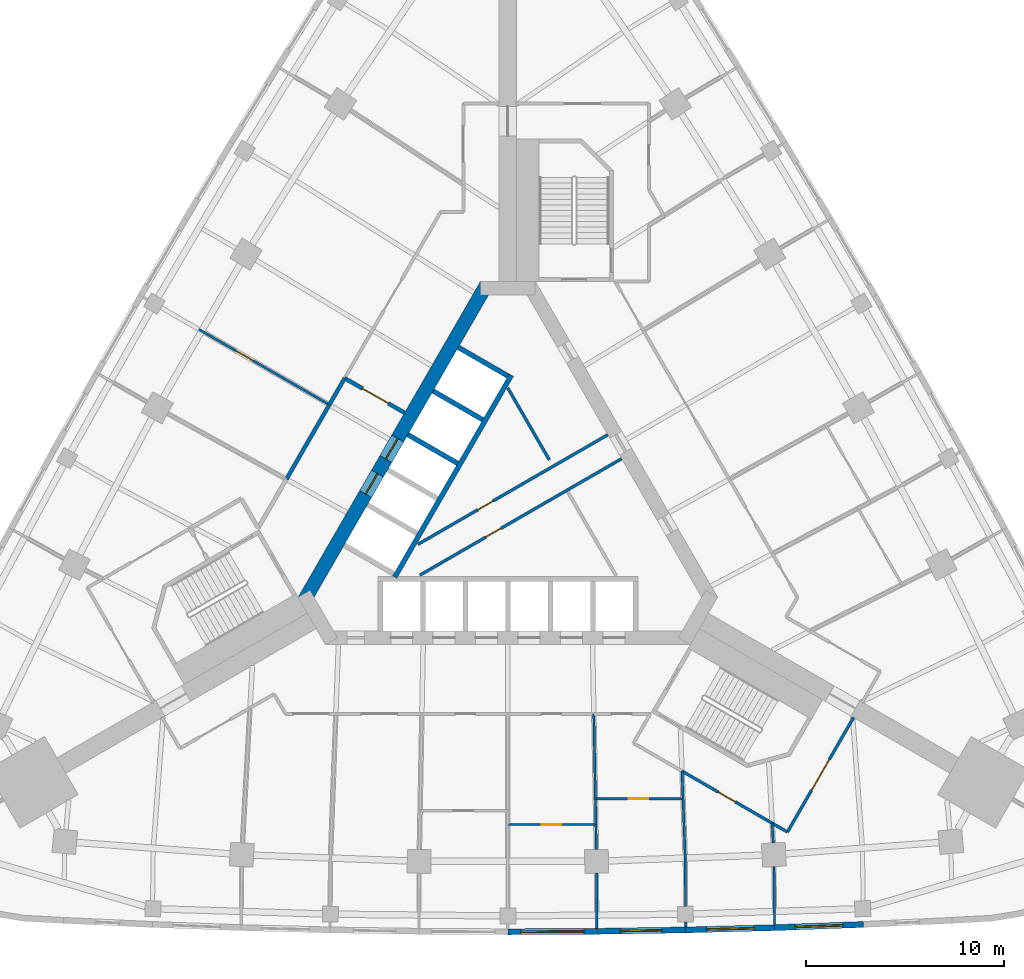
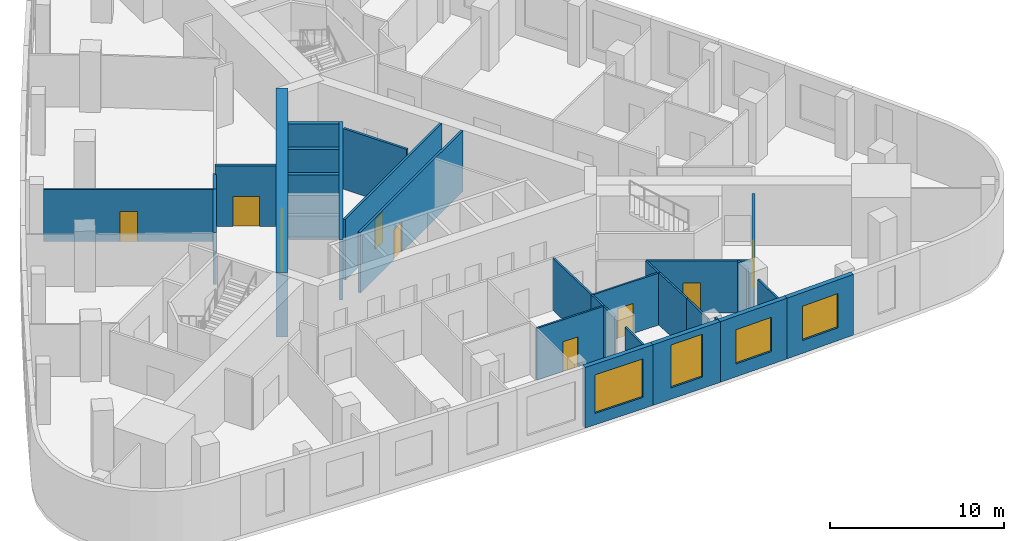
# One storey, part 6 of 11: 31 walls, 10 doors, 4 windows, 14 openings.
"""IFC4 building model written with IfcOpenShell, lengths in metres."""

from ifc_helpers import new_model, si_unit, direction, frame, frame_2d, origin, place, context, subcontext, project, spatial, rectangle, extrude, material, layer, layer_set, type_object, element, fill, save


model = new_model("IFC4")

# Units and contexts
model_context = context("Model", 3, precision=1e-05, world=origin(), true_north=direction((0.0, 1.0)))
body_context = subcontext(model_context, "Body", "Model", "MODEL_VIEW")
ifc_project = project(units=[si_unit("LENGTHUNIT", "METRE"), si_unit("AREAUNIT", "SQUARE_METRE"), si_unit("VOLUMEUNIT", "CUBIC_METRE"), si_unit("PLANEANGLEUNIT", "RADIAN"), si_unit("MASSUNIT", "GRAM", prefix="KILO")], contexts=[model_context])

# Site, building, storey
site_placement = place(None, origin())
site = spatial("IfcSite", under=ifc_project, at=site_placement, CompositionType="ELEMENT")
building_placement = place(site_placement, origin())
building = spatial("IfcBuilding", under=site, at=building_placement, Name="Noor Cloister Tower", CompositionType="ELEMENT")
storey_placement = place(building_placement, frame((0.0, 0.0, 15.0)))
storey = spatial("IfcBuildingStorey", under=building, at=storey_placement, Name="L03", CompositionType="ELEMENT", Elevation=15.0)

# Wall, opening, door
ifc_material_1 = material(Name="Concrete C30/37", Category="concrete")
ifc_layer_1 = layer(ifc_material_1, 0.14990234375)
ifc_layer_set_1 = layer_set([ifc_layer_1], Name="Core partition 150 C30/37")
wall_type_1 = type_object("IfcWallType", Name="Core partition 150 C30/37", PredefinedType="PARTITIONING", material=ifc_layer_set_1)
wall_1_placement = place(storey_placement, frame((-4.547607421875, -1.8505859375, 0.0), z_axis=(0.0, 0.0, 1.0), x_axis=(0.866023939251, 0.500002536638, 0.0)))
wall_1 = element("IfcWall", 1, at=wall_1_placement, inside=storey, type_object=wall_type_1, Name="Core room partition L03 1", PredefinedType="PARTITIONING", context=body_context, shape_type="SweptSolid", body=[
    extrude(rectangle(XDim=11.091796875, YDim=0.14990234375, at=frame_2d((5.5458984375, 0.0))), origin(), (0.0, 0.0, 1.0), 4.25),
])
opening_1_placement = place(wall_1_placement, frame((3.4970703125, 0.0, 0.0)))
opening_1 = element("IfcOpeningElement", 2, at=opening_1_placement, cuts=wall_1, Name="Opening L03-906", PredefinedType="OPENING", context=body_context, shape_type="SweptSolid", body=[
    extrude(rectangle(XDim=0.89990234375, YDim=2.10009765625, at=frame_2d((0.449951171875, 1.050048828125))), frame((0.0, 0.0849609375, 0.0), z_axis=(0.0, -1.0, 0.0), x_axis=(1.0, 0.0, 0.0)), (0.0, 0.0, 1.0), 0.169921875),
])
ifc_material_2 = material(Name="Steel", Category="steel")
door_type_1 = type_object("IfcDoorType", Name="Core door 900 x 2100 FD60", OperationType="SINGLE_SWING_LEFT", PredefinedType="DOOR", material=ifc_material_2)
door_1_placement = place(opening_1_placement, origin())
door_1 = element("IfcDoor", 3, at=door_1_placement, inside=storey, type_object=door_type_1, Name="Core door 6 L03", OperationType="SINGLE_SWING_RIGHT", OverallHeight=2.10009765625, OverallWidth=0.89990234375, PredefinedType="DOOR", context=body_context, shape_type="SweptSolid", body=[
    extrude(rectangle(XDim=0.89990234375, YDim=2.10009765625, at=frame_2d((0.449951171875, 1.050048828125))), frame((0.0, 0.02490234375, 0.0), z_axis=(0.0, -1.0, 0.0), x_axis=(1.0, 0.0, 0.0)), (0.0, 0.0, 1.0), 0.050048828125),
])
fill(opening_1, door_1)

# Wall
wall_2_placement = place(storey_placement, frame((2.099365234375, 2.420166015625, 0.0), z_axis=(0.0, 0.0, 1.0), x_axis=(-0.499998449073, 0.866026299211, 0.0)))
element("IfcWall", 4, at=wall_2_placement, inside=storey, type_object=wall_type_1, Name="Core room partition L03 2", PredefinedType="PARTITIONING", context=body_context, shape_type="SweptSolid", body=[
    extrude(rectangle(XDim=4.21142578125, YDim=0.14990234375, at=frame_2d((2.105712890625, 0.0))), origin(), (0.0, 0.0, 1.0), 4.25),
])

# Wall, opening, door
wall_3_placement = place(storey_placement, frame((-4.454345703125, -3.4130859375, 0.0), z_axis=(0.0, 0.0, 1.0), x_axis=(0.86603043987, 0.499991277142, 0.0)))
wall_3 = element("IfcWall", 5, at=wall_3_placement, inside=storey, type_object=wall_type_1, Name="Core room partition L03 3", PredefinedType="PARTITIONING", context=body_context, shape_type="SweptSolid", body=[
    extrude(rectangle(XDim=11.792236328125, YDim=0.14990234375, at=frame_2d((5.89599609375, 0.0))), origin(), (0.0, 0.0, 1.0), 4.25),
])
opening_2_placement = place(wall_3_placement, frame((3.84716796875, 0.0, 0.0)))
opening_2 = element("IfcOpeningElement", 6, at=opening_2_placement, cuts=wall_3, Name="Opening L03-904", PredefinedType="OPENING", context=body_context, shape_type="SweptSolid", body=[
    extrude(rectangle(XDim=0.89990234375, YDim=2.10009765625, at=frame_2d((0.449951171875, 1.050048828125))), frame((0.0, 0.0849609375, 0.0), z_axis=(0.0, -1.0, 0.0), x_axis=(1.0, 0.0, 0.0)), (0.0, 0.0, 1.0), 0.169921875),
])
ifc_material_3 = material(Name="Steel", Category="steel")
door_type_2 = type_object("IfcDoorType", Name="Core door 900 x 2100 FD120", OperationType="SINGLE_SWING_LEFT", PredefinedType="DOOR", material=ifc_material_3)
door_2_placement = place(opening_2_placement, origin())
door_2 = element("IfcDoor", 7, at=door_2_placement, inside=storey, type_object=door_type_2, Name="Core door 4 L03", OperationType="SINGLE_SWING_RIGHT", OverallHeight=2.10009765625, OverallWidth=0.89990234375, PredefinedType="DOOR", context=body_context, shape_type="SweptSolid", body=[
    extrude(rectangle(XDim=0.89990234375, YDim=2.10009765625, at=frame_2d((0.449951171875, 1.050048828125))), frame((0.0, 0.02490234375, 0.0), z_axis=(0.0, -1.0, 0.0), x_axis=(1.0, 0.0, 0.0)), (0.0, 0.0, 1.0), 0.050048828125),
])
fill(opening_2, door_2)

# Wall, openings, doors
ifc_material_4 = material(Name="Concrete C80/95", Category="concrete")
ifc_layer_2 = layer(ifc_material_4, 0.699951171875)
ifc_layer_set_2 = layer_set([ifc_layer_2], Name="Core wall 700 C80/95")
wall_type_2 = type_object("IfcWallType", Name="Core wall 700 C80/95", PredefinedType="SHEAR", material=ifc_layer_set_2)
wall_4_placement = place(storey_placement, frame((-1.08251953125, 11.281494140625, -0.25), z_axis=(0.0, 0.0, 1.0), x_axis=(-0.500001446645, -0.866024568562, 0.0)))
wall_4 = element("IfcWall", 8, at=wall_4_placement, inside=storey, type_object=wall_type_2, Name="Core wall L03 5", PredefinedType="SHEAR", context=body_context, shape_type="SweptSolid", body=[
    extrude(rectangle(XDim=18.45751953125, YDim=0.699951171875, at=frame_2d((9.228759765625, 0.0))), origin(), (0.0, 0.0, 1.0), 4.5),
])
opening_3_placement = place(wall_4_placement, frame((8.978759765625, 0.0, 0.25)))
opening_3 = element("IfcOpeningElement", 9, at=opening_3_placement, cuts=wall_4, Name="Opening L03-FF1", PredefinedType="OPENING", context=body_context, shape_type="SweptSolid", body=[
    extrude(rectangle(XDim=1.199951171875, YDim=2.10009765625, at=frame_2d((0.60009765625, 1.050048828125))), frame((0.0, 0.35986328125, 0.0), z_axis=(0.0, -1.0, 0.0), x_axis=(1.0, 0.0, 0.0)), (0.0, 0.0, 1.0), 0.719970703125),
])
opening_4_placement = place(wall_4_placement, frame((11.02880859375, 0.0, 0.25)))
opening_4 = element("IfcOpeningElement", 10, at=opening_4_placement, cuts=wall_4, Name="Opening L03-FF2", PredefinedType="OPENING", context=body_context, shape_type="SweptSolid", body=[
    extrude(rectangle(XDim=1.199951171875, YDim=2.10009765625, at=frame_2d((0.60009765625, 1.050048828125))), frame((0.0, 0.35986328125, 0.0), z_axis=(0.0, -1.0, 0.0), x_axis=(1.0, 0.0, 0.0)), (0.0, 0.0, 1.0), 0.719970703125),
])
ifc_material_5 = material(Name="Stainless steel", Category="steel")
door_type_3 = type_object("IfcDoorType", Name="Lift landing door 1200 x 2100", OperationType="DOUBLE_DOOR_SLIDING", PredefinedType="DOOR", material=ifc_material_5)
door_3_placement = place(opening_3_placement, origin())
door_3 = element("IfcDoor", 11, at=door_3_placement, inside=storey, type_object=door_type_3, Name="Landing door FF1 L03", OperationType="DOUBLE_DOOR_SLIDING", OverallHeight=2.10009765625, OverallWidth=1.199951171875, PredefinedType="DOOR", context=body_context, shape_type="SweptSolid", body=[
    extrude(rectangle(XDim=1.199951171875, YDim=2.10009765625, at=frame_2d((0.60009765625, 1.050048828125))), frame((0.0, 0.02490234375, 0.0), z_axis=(0.0, -1.0, 0.0), x_axis=(1.0, 0.0, 0.0)), (0.0, 0.0, 1.0), 0.050048828125),
])
fill(opening_3, door_3)
door_4_placement = place(opening_4_placement, origin())
door_4 = element("IfcDoor", 12, at=door_4_placement, inside=storey, type_object=door_type_3, Name="Landing door FF2 L03", OperationType="DOUBLE_DOOR_SLIDING", OverallHeight=2.10009765625, OverallWidth=1.199951171875, PredefinedType="DOOR", context=body_context, shape_type="SweptSolid", body=[
    extrude(rectangle(XDim=1.199951171875, YDim=2.10009765625, at=frame_2d((0.60009765625, 1.050048828125))), frame((0.0, 0.02490234375, 0.0), z_axis=(0.0, -1.0, 0.0), x_axis=(1.0, 0.0, 0.0)), (0.0, 0.0, 1.0), 0.050048828125),
])
fill(opening_4, door_4)

# Wall, opening, door
ifc_material_6 = material(Name="Plasterboard on steel studs", Category="steel")
ifc_layer_3 = layer(ifc_material_6, 0.14990234375)
ifc_layer_set_3 = layer_set([ifc_layer_3], Name="Corridor wall 150")
wall_type_3 = type_object("IfcWallType", Name="Corridor wall 150", PredefinedType="PARTITIONING", material=ifc_layer_set_3)
wall_5_placement = place(storey_placement, frame((13.376953125, -15.9619140625, 0.0), z_axis=(0.0, 0.0, 1.0), x_axis=(-0.866049926484, 0.499957523033, 0.0)))
wall_5 = element("IfcWall", 13, at=wall_5_placement, inside=storey, type_object=wall_type_3, Name="Partition", PredefinedType="PARTITIONING", context=body_context, shape_type="SweptSolid", body=[
    extrude(rectangle(XDim=5.2744140625, YDim=0.14990234375, at=frame_2d((2.63720703125, 0.0))), origin(), (0.0, 0.0, 1.0), 3.637939453125),
])
opening_5_placement = place(wall_5_placement, frame((2.14990234375, 0.0, 0.0)))
opening_5 = element("IfcOpeningElement", 14, at=opening_5_placement, cuts=wall_5, Name="Opening L03-004", PredefinedType="OPENING", context=body_context, shape_type="SweptSolid", body=[
    extrude(rectangle(XDim=1.0, YDim=2.10009765625, at=frame_2d((0.5, 1.050048828125))), frame((0.0, 0.0849609375, 0.0), z_axis=(0.0, -1.0, 0.0), x_axis=(1.0, 0.0, 0.0)), (0.0, 0.0, 1.0), 0.169921875),
])
ifc_material_7 = material(Name="Timber door leaf", Category="wood")
door_type_4 = type_object("IfcDoorType", Name="Clinic room door 1000", OperationType="SINGLE_SWING_LEFT", PredefinedType="DOOR", material=ifc_material_7)
door_5_placement = place(opening_5_placement, origin())
door_5 = element("IfcDoor", 15, at=door_5_placement, inside=storey, type_object=door_type_4, Name="Door L03-004", OperationType="SINGLE_SWING_RIGHT", OverallHeight=2.10009765625, OverallWidth=1.0, PredefinedType="DOOR", context=body_context, shape_type="SweptSolid", body=[
    extrude(rectangle(XDim=1.0, YDim=2.10009765625, at=frame_2d((0.5, 1.050048828125))), frame((0.0, 0.02490234375, 0.0), z_axis=(0.0, -1.0, 0.0), x_axis=(1.0, 0.0, 0.0)), (0.0, 0.0, 1.0), 0.050048828125),
])
fill(opening_5, door_5)

wall_6_placement = place(storey_placement, frame((17.490966796875, -10.617919921875, 0.0), z_axis=(0.0, 0.0, 1.0), x_axis=(-0.499969057507, -0.866043267704, 0.0)))
wall_6 = element("IfcWall", 16, at=wall_6_placement, inside=storey, type_object=wall_type_3, Name="Partition", PredefinedType="PARTITIONING", context=body_context, shape_type="SweptSolid", body=[
    extrude(rectangle(XDim=6.6845703125, YDim=0.14990234375, at=frame_2d((3.34228515625, 0.0))), origin(), (0.0, 0.0, 1.0), 3.637939453125),
])
opening_6_placement = place(wall_6_placement, frame((2.449951171875, 0.0, 0.0)))
opening_6 = element("IfcOpeningElement", 17, at=opening_6_placement, cuts=wall_6, Name="Opening L03-006", PredefinedType="OPENING", context=body_context, shape_type="SweptSolid", body=[
    extrude(rectangle(XDim=1.800048828125, YDim=2.10009765625, at=frame_2d((0.89990234375, 1.050048828125))), frame((0.0, 0.0849609375, 0.0), z_axis=(0.0, -1.0, 0.0), x_axis=(1.0, 0.0, 0.0)), (0.0, 0.0, 1.0), 0.169921875),
])
ifc_material_8 = material(Name="Timber door leaf", Category="wood")
door_type_5 = type_object("IfcDoorType", Name="Double leaf door 1800", OperationType="DOUBLE_DOOR_SINGLE_SWING", PredefinedType="DOOR", material=ifc_material_8)
door_6_placement = place(opening_6_placement, origin())
door_6 = element("IfcDoor", 18, at=door_6_placement, inside=storey, type_object=door_type_5, Name="Door L03-006", OperationType="DOUBLE_DOOR_SINGLE_SWING", OverallHeight=2.10009765625, OverallWidth=1.800048828125, PredefinedType="DOOR", context=body_context, shape_type="SweptSolid", body=[
    extrude(rectangle(XDim=1.800048828125, YDim=2.10009765625, at=frame_2d((0.89990234375, 1.050048828125))), frame((0.0, 0.02490234375, 0.0), z_axis=(0.0, -1.0, 0.0), x_axis=(1.0, 0.0, 0.0)), (0.0, 0.0, 1.0), 0.050048828125),
])
fill(opening_6, door_6)

# Walls
wall_7_placement = place(storey_placement, frame((14.14697265625, -16.406982421875, 0.0), z_axis=(0.0, 0.0, 1.0), x_axis=(-0.866276218641, 0.499565324075, 0.0)))
element("IfcWall", 19, at=wall_7_placement, inside=storey, type_object=wall_type_3, Name="Partition", PredefinedType="PARTITIONING", context=body_context, shape_type="SweptSolid", body=[
    extrude(rectangle(XDim=0.896728515625, YDim=0.14990234375, at=frame_2d((0.4482421875, 0.0))), origin(), (0.0, 0.0, 1.0), 3.637939453125),
])
ifc_material_9 = material(Name="Reinforced blockwork", Category="masonry")
ifc_layer_4 = layer(ifc_material_9, 0.199951171875)
ifc_layer_set_4 = layer_set([ifc_layer_4], Name="Fire rated block wall 200")
wall_type_4 = type_object("IfcWallType", Name="Fire rated block wall 200", PredefinedType="PARTITIONING", material=ifc_layer_set_4)
wall_8_placement = place(storey_placement, frame((-9.031982421875, 5.212890625, 0.0), z_axis=(0.0, 0.0, 1.0), x_axis=(-0.499876332206, -0.866096791646, 0.0)))
element("IfcWall", 20, at=wall_8_placement, inside=storey, type_object=wall_type_4, Name="Fire rated wall", PredefinedType="PARTITIONING", context=body_context, shape_type="SweptSolid", body=[
    extrude(rectangle(XDim=4.34912109375, YDim=0.199951171875, at=frame_2d((2.174560546875, 0.0))), origin(), (0.0, 0.0, 1.0), 3.637939453125),
])

# Wall, opening, door
wall_9_placement = place(storey_placement, frame((-5.22607421875, 4.805908203125, 0.0), z_axis=(0.0, 0.0, 1.0), x_axis=(-0.865949687125, 0.500131122175, 0.0)))
wall_9 = element("IfcWall", 21, at=wall_9_placement, inside=storey, type_object=wall_type_4, Name="Fire rated wall", PredefinedType="PARTITIONING", context=body_context, shape_type="SweptSolid", body=[
    extrude(rectangle(XDim=3.4990234375, YDim=0.199951171875, at=frame_2d((1.74951171875, 0.0))), origin(), (0.0, 0.0, 1.0), 4.25),
])
opening_7_placement = place(wall_9_placement, frame((0.949951171875, 0.0, 0.0)))
opening_7 = element("IfcOpeningElement", 22, at=opening_7_placement, cuts=wall_9, Name="Opening L03-027", PredefinedType="OPENING", context=body_context, shape_type="SweptSolid", body=[
    extrude(rectangle(XDim=1.5, YDim=2.10009765625, at=frame_2d((0.75, 1.050048828125))), frame((0.0, 0.10986328125, 0.0), z_axis=(0.0, -1.0, 0.0), x_axis=(1.0, 0.0, 0.0)), (0.0, 0.0, 1.0), 0.219970703125),
])
ifc_material_10 = material(Name="Steel fire door", Category="steel")
door_type_6 = type_object("IfcDoorType", Name="Smoke barrier door FD60 1500", OperationType="DOUBLE_DOOR_SINGLE_SWING", PredefinedType="DOOR", material=ifc_material_10)
door_7_placement = place(opening_7_placement, origin())
door_7 = element("IfcDoor", 23, at=door_7_placement, inside=storey, type_object=door_type_6, Name="Door L03-027", OperationType="DOUBLE_DOOR_SINGLE_SWING", OverallHeight=2.10009765625, OverallWidth=1.5, PredefinedType="DOOR", context=body_context, shape_type="SweptSolid", body=[
    extrude(rectangle(XDim=1.5, YDim=2.10009765625, at=frame_2d((0.75, 1.050048828125))), frame((0.0, 0.02490234375, 0.0), z_axis=(0.0, -1.0, 0.0), x_axis=(1.0, 0.0, 0.0)), (0.0, 0.0, 1.0), 0.050048828125),
])
fill(opening_7, door_7)

# Wall
wall_10_placement = place(storey_placement, frame((-8.256103515625, 6.555908203125, 0.0), z_axis=(0.0, 0.0, 1.0), x_axis=(-0.500104332946, -0.86596515875, 0.0)))
element("IfcWall", 24, at=wall_10_placement, inside=storey, type_object=wall_type_4, Name="Fire rated wall", PredefinedType="PARTITIONING", context=body_context, shape_type="SweptSolid", body=[
    extrude(rectangle(XDim=1.549560546875, YDim=0.199951171875, at=frame_2d((0.77490234375, 0.0))), origin(), (0.0, 0.0, 1.0), 3.637939453125),
])

# Wall, opening, window
ifc_material_11 = material(Name="Limestone", Category="masonry")
ifc_layer_5 = layer(ifc_material_11, 0.300048828125)
ifc_layer_set_5 = layer_set([ifc_layer_5], Name="Limestone panel wall 300")
wall_type_5 = type_object("IfcWallType", Name="Limestone panel wall 300", PredefinedType="NOTDEFINED", material=ifc_layer_set_5)
wall_11_placement = place(storey_placement, frame((4.4970703125, -21.43408203125, 0.0), z_axis=(0.0, 0.0, 1.0), x_axis=(-0.999986693461, -0.005158769258, 0.0)))
wall_11 = element("IfcWall", 25, at=wall_11_placement, inside=storey, type_object=wall_type_5, Name="Limestone wall L03 S 6", PredefinedType="NOTDEFINED", context=body_context, shape_type="SweptSolid", body=[
    extrude(rectangle(XDim=4.495849609375, YDim=0.300048828125, at=frame_2d((2.248046875, 0.0))), origin(), (0.0, 0.0, 1.0), 4.25),
])
opening_8_placement = place(wall_11_placement, frame((0.64794921875, 0.0, 0.800048828125)))
opening_8 = element("IfcOpeningElement", 26, at=opening_8_placement, cuts=wall_11, Name="Opening L03-W16", PredefinedType="OPENING", context=body_context, shape_type="SweptSolid", body=[
    extrude(rectangle(XDim=3.199951171875, YDim=2.699951171875, at=frame_2d((1.60009765625, 1.35009765625))), frame((0.0, 0.16015625, 0.0), z_axis=(0.0, -1.0, 0.0), x_axis=(1.0, 0.0, 0.0)), (0.0, 0.0, 1.0), 0.320068359375),
])
ifc_material_12 = material(Name="Aluminium 6063-T6 anodised", Category="aluminium")
window_type_1 = type_object("IfcWindowType", Name="Waiting room window 3200 x 2700", PartitioningType="TRIPLE_PANEL_VERTICAL", PredefinedType="WINDOW", material=ifc_material_12)
window_1_placement = place(opening_8_placement, origin())
window_1 = element("IfcWindow", 27, at=window_1_placement, inside=storey, type_object=window_type_1, Name="Window L03 16", OverallHeight=2.699951171875, OverallWidth=3.199951171875, PartitioningType="TRIPLE_PANEL_VERTICAL", PredefinedType="WINDOW", context=body_context, shape_type="SweptSolid", body=[
    extrude(rectangle(XDim=3.199951171875, YDim=2.699951171875, at=frame_2d((1.60009765625, 1.35009765625))), frame((0.0, 0.030029296875, 0.0), z_axis=(0.0, -1.0, 0.0), x_axis=(1.0, 0.0, 0.0)), (0.0, 0.0, 1.0), 0.06005859375),
])
fill(opening_8, window_1)

wall_12_placement = place(storey_placement, frame((8.9951171875, -21.364990234375, 0.0), z_axis=(0.0, 0.0, 1.0), x_axis=(-0.999881921814, -0.015366926462, 0.0)))
wall_12 = element("IfcWall", 28, at=wall_12_placement, inside=storey, type_object=wall_type_5, Name="Limestone wall L03 S 7", PredefinedType="NOTDEFINED", context=body_context, shape_type="SweptSolid", body=[
    extrude(rectangle(XDim=4.49609375, YDim=0.300048828125, at=frame_2d((2.248046875, 0.0))), origin(), (0.0, 0.0, 1.0), 4.25),
])
opening_9_placement = place(wall_12_placement, frame((1.197998046875, 0.0, 0.800048828125)))
opening_9 = element("IfcOpeningElement", 29, at=opening_9_placement, cuts=wall_12, Name="Opening L03-W17", PredefinedType="OPENING", context=body_context, shape_type="SweptSolid", body=[
    extrude(rectangle(XDim=2.10009765625, YDim=3.0, at=frame_2d((1.050048828125, 1.5))), frame((0.0, 0.16015625, 0.0), z_axis=(0.0, -1.0, 0.0), x_axis=(1.0, 0.0, 0.0)), (0.0, 0.0, 1.0), 0.320068359375),
])
ifc_material_13 = material(Name="Aluminium 6063-T6 anodised", Category="aluminium")
window_type_2 = type_object("IfcWindowType", Name="Therapy window 2100 x 3000", PartitioningType="DOUBLE_PANEL_HORIZONTAL", PredefinedType="WINDOW", material=ifc_material_13)
window_2_placement = place(opening_9_placement, origin())
window_2 = element("IfcWindow", 30, at=window_2_placement, inside=storey, type_object=window_type_2, Name="Window L03 17", OverallHeight=3.0, OverallWidth=2.10009765625, PartitioningType="DOUBLE_PANEL_HORIZONTAL", PredefinedType="WINDOW", context=body_context, shape_type="SweptSolid", body=[
    extrude(rectangle(XDim=2.10009765625, YDim=3.0, at=frame_2d((1.050048828125, 1.5))), frame((0.0, 0.030029296875, 0.0), z_axis=(0.0, -1.0, 0.0), x_axis=(1.0, 0.0, 0.0)), (0.0, 0.0, 1.0), 0.06005859375),
])
fill(opening_9, window_2)

wall_13_placement = place(storey_placement, frame((13.491943359375, -21.24951171875, 0.0), z_axis=(0.0, 0.0, 1.0), x_axis=(-0.999671466587, -0.025631209312, 0.0)))
wall_13 = element("IfcWall", 31, at=wall_13_placement, inside=storey, type_object=wall_type_5, Name="Limestone wall L03 S 8", PredefinedType="NOTDEFINED", context=body_context, shape_type="SweptSolid", body=[
    extrude(rectangle(XDim=4.495849609375, YDim=0.300048828125, at=frame_2d((2.248046875, 0.0))), origin(), (0.0, 0.0, 1.0), 4.25),
])
opening_10_placement = place(wall_13_placement, frame((1.048095703125, 0.0, 0.89990234375)))
opening_10 = element("IfcOpeningElement", 32, at=opening_10_placement, cuts=wall_13, Name="Opening L03-W18", PredefinedType="OPENING", context=body_context, shape_type="SweptSolid", body=[
    extrude(rectangle(XDim=2.39990234375, YDim=2.39990234375, at=frame_2d((1.199951171875, 1.199951171875))), frame((0.0, 0.16015625, 0.0), z_axis=(0.0, -1.0, 0.0), x_axis=(1.0, 0.0, 0.0)), (0.0, 0.0, 1.0), 0.320068359375),
])
ifc_material_14 = material(Name="Aluminium 6063-T6 anodised", Category="aluminium")
window_type_3 = type_object("IfcWindowType", Name="Clinic window 2400 x 2400", PartitioningType="DOUBLE_PANEL_VERTICAL", PredefinedType="WINDOW", material=ifc_material_14)
window_3_placement = place(opening_10_placement, origin())
window_3 = element("IfcWindow", 33, at=window_3_placement, inside=storey, type_object=window_type_3, Name="Window L03 18", OverallHeight=2.39990234375, OverallWidth=2.39990234375, PartitioningType="DOUBLE_PANEL_VERTICAL", PredefinedType="WINDOW", context=body_context, shape_type="SweptSolid", body=[
    extrude(rectangle(XDim=2.39990234375, YDim=2.39990234375, at=frame_2d((1.199951171875, 1.199951171875))), frame((0.0, 0.030029296875, 0.0), z_axis=(0.0, -1.0, 0.0), x_axis=(1.0, 0.0, 0.0)), (0.0, 0.0, 1.0), 0.06005859375),
])
fill(opening_10, window_3)

wall_14_placement = place(storey_placement, frame((17.987548828125, -21.087890625, 0.0), z_axis=(0.0, 0.0, 1.0), x_axis=(-0.999355640029, -0.035892962294, 0.0)))
wall_14 = element("IfcWall", 34, at=wall_14_placement, inside=storey, type_object=wall_type_5, Name="Limestone wall L03 S 9", PredefinedType="NOTDEFINED", context=body_context, shape_type="SweptSolid", body=[
    extrude(rectangle(XDim=4.49609375, YDim=0.300048828125, at=frame_2d((2.248046875, 0.0))), origin(), (0.0, 0.0, 1.0), 4.25),
])
opening_11_placement = place(wall_14_placement, frame((1.048095703125, 0.0, 0.89990234375)))
opening_11 = element("IfcOpeningElement", 35, at=opening_11_placement, cuts=wall_14, Name="Opening L03-W19", PredefinedType="OPENING", context=body_context, shape_type="SweptSolid", body=[
    extrude(rectangle(XDim=2.39990234375, YDim=2.39990234375, at=frame_2d((1.199951171875, 1.199951171875))), frame((0.0, 0.16015625, 0.0), z_axis=(0.0, -1.0, 0.0), x_axis=(1.0, 0.0, 0.0)), (0.0, 0.0, 1.0), 0.320068359375),
])
window_4_placement = place(opening_11_placement, origin())
window_4 = element("IfcWindow", 36, at=window_4_placement, inside=storey, type_object=window_type_3, Name="Window L03 19", OverallHeight=2.39990234375, OverallWidth=2.39990234375, PartitioningType="DOUBLE_PANEL_VERTICAL", PredefinedType="WINDOW", context=body_context, shape_type="SweptSolid", body=[
    extrude(rectangle(XDim=2.39990234375, YDim=2.39990234375, at=frame_2d((1.199951171875, 1.199951171875))), frame((0.0, 0.030029296875, 0.0), z_axis=(0.0, -1.0, 0.0), x_axis=(1.0, 0.0, 0.0)), (0.0, 0.0, 1.0), 0.06005859375),
])
fill(opening_11, window_4)

# Walls
ifc_material_15 = material(Name="Plasterboard on steel studs", Category="steel")
ifc_layer_6 = layer(ifc_material_15, 0.1201171875)
ifc_layer_set_6 = layer_set([ifc_layer_6], Name="Partition wall 120")
wall_type_6 = type_object("IfcWallType", Name="Partition wall 120", PredefinedType="PARTITIONING", material=ifc_layer_set_6)
wall_15_placement = place(storey_placement, frame((4.47802734375, -17.291015625, 0.0), z_axis=(0.0, 0.0, 1.0), x_axis=(-0.018108783452, 0.999836022537, 0.0)))
element("IfcWall", 37, at=wall_15_placement, inside=storey, type_object=wall_type_6, Name="Partition", PredefinedType="PARTITIONING", context=body_context, shape_type="SweptSolid", body=[
    extrude(rectangle(XDim=1.267333984375, YDim=0.1201171875, at=frame_2d((0.6337890625, 0.0))), origin(), (0.0, 0.0, 1.0), 3.637939453125),
])
wall_16_placement = place(storey_placement, frame((4.4990234375, -21.283935546875, 0.0), z_axis=(0.0, 0.0, 1.0), x_axis=(-0.00288561233, 0.999995836612, 0.0)))
element("IfcWall", 38, at=wall_16_placement, inside=storey, type_object=wall_type_6, Name="Partition", PredefinedType="PARTITIONING", context=body_context, shape_type="SweptSolid", body=[
    extrude(rectangle(XDim=2.7919921875, YDim=0.1201171875, at=frame_2d((1.39599609375, 0.0))), origin(), (0.0, 0.0, 1.0), 3.633056640625),
])

# Wall, opening, door
wall_17_placement = place(storey_placement, frame((4.455078125, -16.028076171875, 0.0), z_axis=(0.0, 0.0, 1.0), x_axis=(-1.0, 0.0, 0.0)))
wall_17 = element("IfcWall", 39, at=wall_17_placement, inside=storey, type_object=wall_type_6, Name="Partition", PredefinedType="PARTITIONING", context=body_context, shape_type="SweptSolid", body=[
    extrude(rectangle(XDim=4.455078125, YDim=0.1201171875, at=frame_2d((2.2275390625, 0.0))), origin(), (0.0, 0.0, 1.0), 3.637939453125),
])
opening_12_placement = place(wall_17_placement, frame((1.75, 0.0, 0.0)))
opening_12 = element("IfcOpeningElement", 40, at=opening_12_placement, cuts=wall_17, Name="Opening L03-001", PredefinedType="OPENING", context=body_context, shape_type="SweptSolid", body=[
    extrude(rectangle(XDim=1.0, YDim=2.10009765625, at=frame_2d((0.5, 1.050048828125))), frame((0.0, 0.070068359375, 0.0), z_axis=(0.0, -1.0, 0.0), x_axis=(1.0, 0.0, 0.0)), (0.0, 0.0, 1.0), 0.14013671875),
])
door_8_placement = place(opening_12_placement, origin())
door_8 = element("IfcDoor", 41, at=door_8_placement, inside=storey, type_object=door_type_4, Name="Door L03-001", OperationType="SINGLE_SWING_RIGHT", OverallHeight=2.10009765625, OverallWidth=1.0, PredefinedType="DOOR", context=body_context, shape_type="SweptSolid", body=[
    extrude(rectangle(XDim=1.0, YDim=2.10009765625, at=frame_2d((0.5, 1.050048828125))), frame((0.0, 0.02490234375, 0.0), z_axis=(0.0, -1.0, 0.0), x_axis=(1.0, 0.0, 0.0)), (0.0, 0.0, 1.0), 0.050048828125),
])
fill(opening_12, door_8)

# Walls
wall_18_placement = place(storey_placement, frame((8.991943359375, -20.1650390625, 0.0), z_axis=(0.0, 0.0, 1.0), x_axis=(-0.005803200997, 0.999983161287, 0.0)))
element("IfcWall", 42, at=wall_18_placement, inside=storey, type_object=wall_type_6, Name="Partition", PredefinedType="PARTITIONING", context=body_context, shape_type="SweptSolid", body=[
    extrude(rectangle(XDim=2.39794921875, YDim=0.1201171875, at=frame_2d((1.198974609375, 0.0))), origin(), (0.0, 0.0, 1.0), 3.637939453125),
])
wall_19_placement = place(storey_placement, frame((8.97802734375, -17.76708984375, 0.0), z_axis=(0.0, 0.0, 1.0), x_axis=(-0.037121380275, 0.99931076404, 0.0)))
element("IfcWall", 43, at=wall_19_placement, inside=storey, type_object=wall_type_6, Name="Partition", PredefinedType="PARTITIONING", context=body_context, shape_type="SweptSolid", body=[
    extrude(rectangle(XDim=3.045166015625, YDim=0.1201171875, at=frame_2d((1.5224609375, 0.0))), origin(), (0.0, 0.0, 1.0), 3.637939453125),
])
wall_20_placement = place(storey_placement, frame((8.998046875, -21.215087890625, 0.0), z_axis=(0.0, 0.0, 1.0), x_axis=(-0.007812261592, 0.999969483819, 0.0)))
element("IfcWall", 44, at=wall_20_placement, inside=storey, type_object=wall_type_6, Name="Partition", PredefinedType="PARTITIONING", context=body_context, shape_type="SweptSolid", body=[
    extrude(rectangle(XDim=0.25, YDim=0.1201171875, at=frame_2d((0.125, 0.0))), origin(), (0.0, 0.0, 1.0), 4.25),
])
wall_21_placement = place(storey_placement, frame((4.430908203125, -14.72412109375, 0.0), z_axis=(0.0, 0.0, 1.0), x_axis=(0.018546556452, -0.99982799783, 0.0)))
element("IfcWall", 45, at=wall_21_placement, inside=storey, type_object=wall_type_6, Name="Partition", PredefinedType="PARTITIONING", context=body_context, shape_type="SweptSolid", body=[
    extrude(rectangle(XDim=1.30322265625, YDim=0.1201171875, at=frame_2d((0.651611328125, 0.0))), origin(), (0.0, 0.0, 1.0), 3.637939453125),
])

# Wall, opening, door
wall_22_placement = place(storey_placement, frame((8.864990234375, -14.72802734375, 0.0), z_axis=(0.0, 0.0, 1.0), x_axis=(-1.0, 0.0, 0.0)))
wall_22 = element("IfcWall", 46, at=wall_22_placement, inside=storey, type_object=wall_type_6, Name="Partition", PredefinedType="PARTITIONING", context=body_context, shape_type="SweptSolid", body=[
    extrude(rectangle(XDim=4.43408203125, YDim=0.1201171875, at=frame_2d((2.217041015625, 0.0))), origin(), (0.0, 0.0, 1.0), 3.637939453125),
])
opening_13_placement = place(wall_22_placement, frame((1.75, 0.0, 0.0)))
opening_13 = element("IfcOpeningElement", 47, at=opening_13_placement, cuts=wall_22, Name="Opening L03-002", PredefinedType="OPENING", context=body_context, shape_type="SweptSolid", body=[
    extrude(rectangle(XDim=1.0, YDim=2.10009765625, at=frame_2d((0.5, 1.050048828125))), frame((0.0, 0.070068359375, 0.0), z_axis=(0.0, -1.0, 0.0), x_axis=(1.0, 0.0, 0.0)), (0.0, 0.0, 1.0), 0.14013671875),
])
door_9_placement = place(opening_13_placement, origin())
door_9 = element("IfcDoor", 48, at=door_9_placement, inside=storey, type_object=door_type_4, Name="Door L03-002", OperationType="SINGLE_SWING_RIGHT", OverallHeight=2.10009765625, OverallWidth=1.0, PredefinedType="DOOR", context=body_context, shape_type="SweptSolid", body=[
    extrude(rectangle(XDim=1.0, YDim=2.10009765625, at=frame_2d((0.5, 1.050048828125))), frame((0.0, 0.02490234375, 0.0), z_axis=(0.0, -1.0, 0.0), x_axis=(1.0, 0.0, 0.0)), (0.0, 0.0, 1.0), 0.050048828125),
])
fill(opening_13, door_9)

# Walls
wall_23_placement = place(storey_placement, frame((13.428955078125, -16.958984375, 0.0), z_axis=(0.0, 0.0, 1.0), x_axis=(-0.055063393043, 0.998482860517, 0.0)))
element("IfcWall", 49, at=wall_23_placement, inside=storey, type_object=wall_type_6, Name="Partition", PredefinedType="PARTITIONING", context=body_context, shape_type="SweptSolid", body=[
    extrude(rectangle(XDim=0.99755859375, YDim=0.1201171875, at=frame_2d((0.498779296875, 0.0))), origin(), (0.0, 0.0, 1.0), 3.637939453125),
])
wall_24_placement = place(storey_placement, frame((13.4951171875, -21.09912109375, 0.0), z_axis=(0.0, 0.0, 1.0), x_axis=(-0.009216581037, 0.999957526415, 0.0)))
element("IfcWall", 50, at=wall_24_placement, inside=storey, type_object=wall_type_6, Name="Partition", PredefinedType="PARTITIONING", context=body_context, shape_type="SweptSolid", body=[
    extrude(rectangle(XDim=2.9404296875, YDim=0.1201171875, at=frame_2d((1.47021484375, 0.0))), origin(), (0.0, 0.0, 1.0), 3.633056640625),
])
wall_25_placement = place(storey_placement, frame((8.81298828125, -13.327880859375, 0.0), z_axis=(0.0, 0.0, 1.0), x_axis=(0.037140645658, -0.999310048203, 0.0)))
element("IfcWall", 51, at=wall_25_placement, inside=storey, type_object=wall_type_6, Name="Partition", PredefinedType="PARTITIONING", context=body_context, shape_type="SweptSolid", body=[
    extrude(rectangle(XDim=1.400146484375, YDim=0.1201171875, at=frame_2d((0.7001953125, 0.0))), origin(), (0.0, 0.0, 1.0), 3.637939453125),
])
wall_26_placement = place(storey_placement, frame((4.430908203125, -14.72705078125, 0.0), z_axis=(0.0, 0.0, 1.0), x_axis=(-0.018571065409, 0.999827542894, 0.0)))
element("IfcWall", 52, at=wall_26_placement, inside=storey, type_object=wall_type_6, Name="Partition", PredefinedType="PARTITIONING", context=body_context, shape_type="SweptSolid", body=[
    extrude(rectangle(XDim=4.298828125, YDim=0.1201171875, at=frame_2d((2.1494140625, 0.0))), origin(), (0.0, 0.0, 1.0), 3.637939453125),
])

# Wall, opening, door
wall_27_placement = place(storey_placement, frame((-9.032958984375, 5.214111328125, 0.0), z_axis=(0.0, 0.0, 1.0), x_axis=(-0.866000641544, 0.500042887006, 0.0)))
wall_27 = element("IfcWall", 53, at=wall_27_placement, inside=storey, type_object=wall_type_6, Name="Partition", PredefinedType="PARTITIONING", context=body_context, shape_type="SweptSolid", body=[
    extrude(rectangle(XDim=9.826904296875, YDim=0.1201171875, at=frame_2d((4.91357421875, 0.0))), origin(), (0.0, 0.0, 1.0), 3.637939453125),
])
opening_14_placement = place(wall_27_placement, frame((4.449951171875, 0.0, 0.0)))
opening_14 = element("IfcOpeningElement", 54, at=opening_14_placement, cuts=wall_27, Name="Opening L03-019", PredefinedType="OPENING", context=body_context, shape_type="SweptSolid", body=[
    extrude(rectangle(XDim=1.0, YDim=2.10009765625, at=frame_2d((0.5, 1.050048828125))), frame((0.0, 0.070068359375, 0.0), z_axis=(0.0, -1.0, 0.0), x_axis=(1.0, 0.0, 0.0)), (0.0, 0.0, 1.0), 0.14013671875),
])
ifc_material_16 = material(Name="Timber door leaf", Category="wood")
door_type_7 = type_object("IfcDoorType", Name="WC block door 1000", OperationType="SINGLE_SWING_LEFT", PredefinedType="DOOR", material=ifc_material_16)
door_10_placement = place(opening_14_placement, origin())
door_10 = element("IfcDoor", 55, at=door_10_placement, inside=storey, type_object=door_type_7, Name="Door L03-019", OperationType="SINGLE_SWING_RIGHT", OverallHeight=2.10009765625, OverallWidth=1.0, PredefinedType="DOOR", context=body_context, shape_type="SweptSolid", body=[
    extrude(rectangle(XDim=1.0, YDim=2.10009765625, at=frame_2d((0.5, 1.050048828125))), frame((0.0, 0.02490234375, 0.0), z_axis=(0.0, -1.0, 0.0), x_axis=(1.0, 0.0, 0.0)), (0.0, 0.0, 1.0), 0.050048828125),
])
fill(opening_14, door_10)

# Walls
ifc_material_17 = material(Name="Concrete C80/95", Category="concrete")
ifc_layer_7 = layer(ifc_material_17, 0.25)
ifc_layer_set_7 = layer_set([ifc_layer_7], Name="Shaft wall 250 C80/95")
wall_type_7 = type_object("IfcWallType", Name="Shaft wall 250 C80/95", PredefinedType="PARTITIONING", material=ifc_layer_set_7)
wall_28_placement = place(storey_placement, frame((-2.50634765625, 8.115478515625, -0.25), z_axis=(0.0, 0.0, 1.0), x_axis=(0.865996321171, -0.50005036918, 0.0)))
element("IfcWall", 56, at=wall_28_placement, inside=storey, type_object=wall_type_7, Name="Lift shaft wall L03 NW 1", PredefinedType="PARTITIONING", context=body_context, shape_type="SweptSolid", body=[
    extrude(rectangle(XDim=2.900146484375, YDim=0.25, at=frame_2d((1.4501953125, 0.0))), origin(), (0.0, 0.0, 1.0), 4.5),
])
for number, where, z_axis, x_axis, name in (
    (57, (-3.78125, 5.906982421875, -0.25), (0.0, 0.0, 1.0), (0.866032775405, -0.499987231761, 0.0), "Lift shaft wall L03 NW 2"),
    (58, (-5.056396484375, 3.69873046875, -0.25), (0.0, 0.0, 1.0), (0.866032775405, -0.499987231761, 0.0), "Lift shaft wall L03 NW 3"),
):
    element("IfcWall", number, at=place(storey_placement, frame(where, z_axis=z_axis, x_axis=x_axis)), inside=storey, type_object=wall_type_7, Name=name, PredefinedType="PARTITIONING", context=body_context, shape_type="SweptSolid", body=[
        extrude(rectangle(XDim=2.89990234375, YDim=0.25, at=frame_2d((1.449951171875, 0.0))), origin(), (0.0, 0.0, 1.0), 4.5),
    ])
wall_29_placement = place(storey_placement, frame((0.176025390625, 6.711181640625, 0.0), z_axis=(0.0, 0.0, 1.0), x_axis=(-0.500004227369, -0.866022963098, 0.0)))
element("IfcWall", 59, at=wall_29_placement, inside=storey, type_object=wall_type_7, Name="Lift shaft back wall L03 NW", PredefinedType="PARTITIONING", context=body_context, shape_type="SweptSolid", body=[
    extrude(rectangle(XDim=11.80029296875, YDim=0.25, at=frame_2d((5.900146484375, 0.0))), origin(), (0.0, 0.0, 1.0), 4.25),
])

save(model, "model.ifc")
